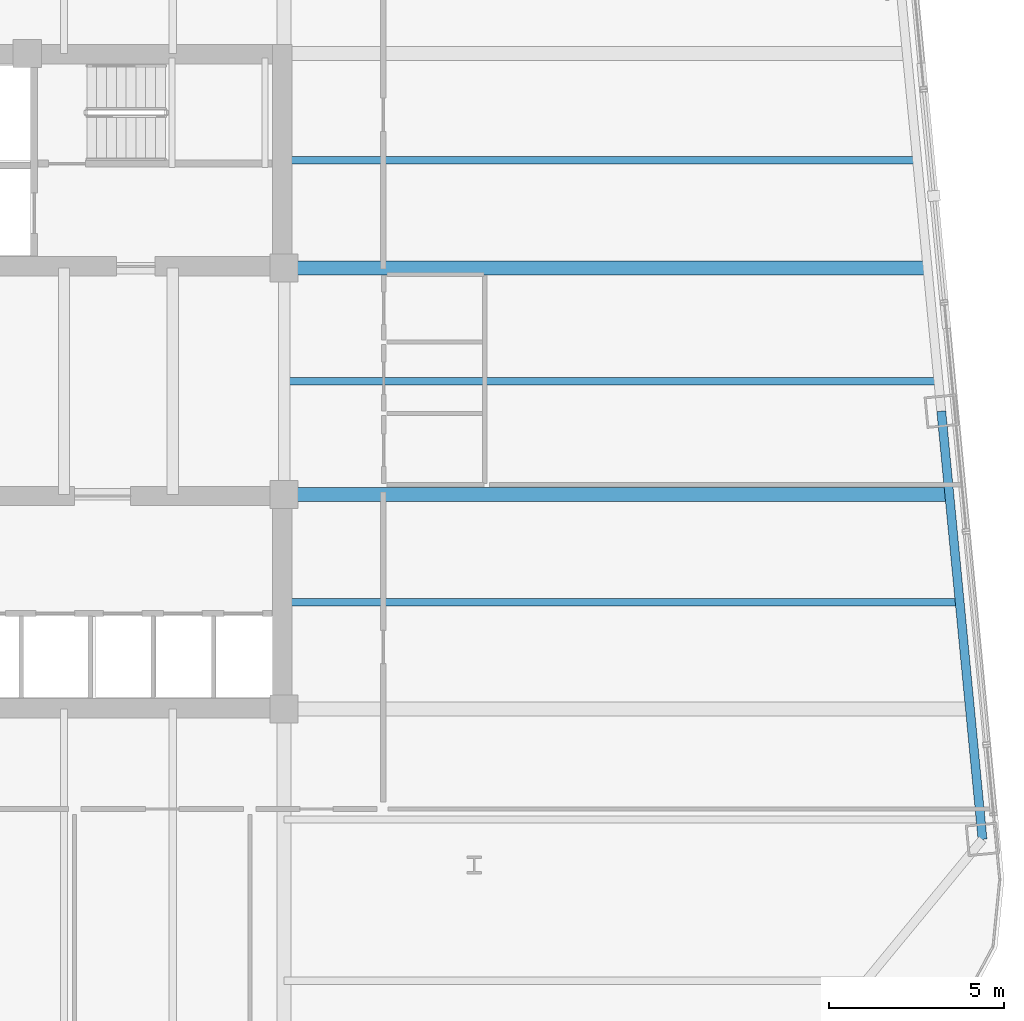
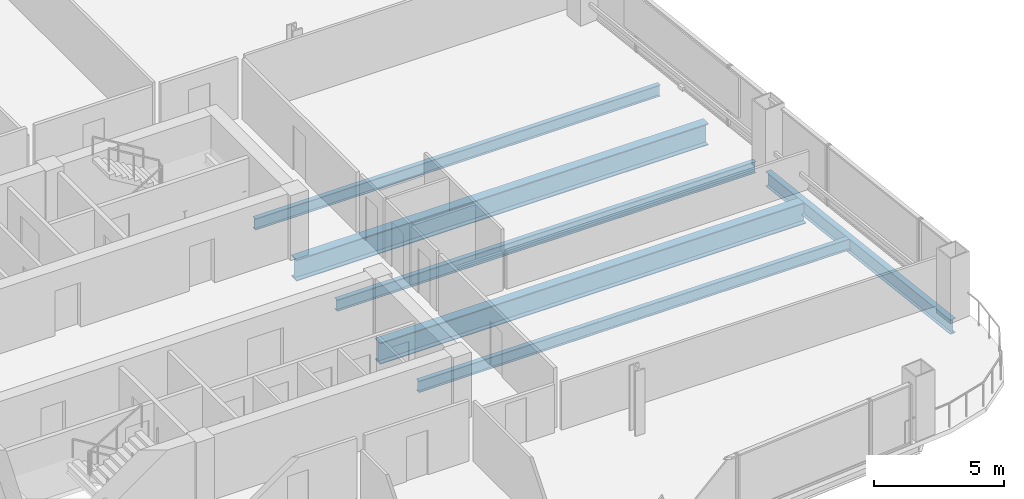
# One storey, part 16 of 34: 6 beams.
"""IFC4 building model written with IfcOpenShell, lengths in metres."""

from ifc_helpers import new_model, si_unit, direction, frame, origin, origin_2d, place, context, subcontext, project, spatial, i_section, extrude, material, material_profile, profile_set, type_object, element, save


model = new_model("IFC4")

# Units and contexts
model_context = context("Model", 3, precision=1e-05, world=origin(), true_north=direction((0.0, 1.0)))
body_context = subcontext(model_context, "Body", "Model", "MODEL_VIEW")
ifc_project = project(units=[si_unit("LENGTHUNIT", "METRE"), si_unit("AREAUNIT", "SQUARE_METRE"), si_unit("VOLUMEUNIT", "CUBIC_METRE"), si_unit("PLANEANGLEUNIT", "RADIAN"), si_unit("MASSUNIT", "GRAM", prefix="KILO")], contexts=[model_context])

# Site, building, storey
site_placement = place(None, origin())
site = spatial("IfcSite", under=ifc_project, at=site_placement, CompositionType="ELEMENT")
building_placement = place(site_placement, origin())
building = spatial("IfcBuilding", under=site, at=building_placement, Name="Qhalaya Broadcast Tower", CompositionType="ELEMENT")
storey_placement = place(building_placement, frame((0.0, 0.0, 78.60009765625)))
storey = spatial("IfcBuildingStorey", under=building, at=storey_placement, Name="L22", CompositionType="ELEMENT", Elevation=78.60009765625)

# Beams
ifc_material = material(Name="Structural Steel ASTM A992 Grade 50", Category="steel")
ifc_material_profile_1 = material_profile(ifc_material, i_section(OverallWidth=0.2099609375, OverallDepth=0.535888671875, WebThickness=0.010986328125, FlangeThickness=0.017333984375, at=origin_2d()), Name="W21X68")
ifc_profile_set_1 = profile_set([ifc_material_profile_1], Name="Structural Steel ASTM A992 Grade 50")
beam_type_1 = type_object("IfcBeamType", Name="Composite Floor Joist J02", PredefinedType="JOIST", material=ifc_profile_set_1)
beam_1_placement = place(storey_placement, frame((9.375, -5.699951171875, -0.488037109375), z_axis=(1.0, 0.0, 0.0), x_axis=(0.0, 1.0, 0.0)))
element("IfcBeam", 1, at=beam_1_placement, inside=storey, type_object=beam_type_1, Name="L22 J02 L22-JWE3E-1", PredefinedType="JOIST", context=body_context, shape_type="SweptSolid", body=[
    extrude(i_section(OverallWidth=0.2099609375, OverallDepth=0.535888671875, WebThickness=0.010986328125, FlangeThickness=0.017333984375, at=origin_2d()), origin(), (0.0, 0.0, 1.0), 19.24609375),
])
beam_2_placement = place(storey_placement, frame((9.375, 0.60009765625, -0.488037109375), z_axis=(1.0, 0.0, 0.0), x_axis=(0.0, 1.0, 0.0)))
element("IfcBeam", 2, at=beam_2_placement, inside=storey, type_object=beam_type_1, Name="L22 J02 L22-JWE4E-1", PredefinedType="JOIST", context=body_context, shape_type="SweptSolid", body=[
    extrude(i_section(OverallWidth=0.2099609375, OverallDepth=0.535888671875, WebThickness=0.010986328125, FlangeThickness=0.017333984375, at=origin_2d()), origin(), (0.0, 0.0, 1.0), 18.639404296875),
])
beam_3_placement = place(storey_placement, frame((9.375, 6.89990234375, -0.488037109375), z_axis=(1.0, 0.0, 0.0), x_axis=(0.0, 1.0, 0.0)))
element("IfcBeam", 3, at=beam_3_placement, inside=storey, type_object=beam_type_1, Name="L22 J02 L22-JWE5E-1", PredefinedType="JOIST", context=body_context, shape_type="SweptSolid", body=[
    extrude(i_section(OverallWidth=0.2099609375, OverallDepth=0.535888671875, WebThickness=0.010986328125, FlangeThickness=0.017333984375, at=origin_2d()), origin(), (0.0, 0.0, 1.0), 18.03271484375),
])
ifc_material_profile_2 = material_profile(ifc_material, i_section(OverallWidth=0.40087890625, OverallDepth=1.010986328125, WebThickness=0.023681640625, FlangeThickness=0.0419921875, at=origin_2d()), Name="W40X297")
ifc_profile_set_2 = profile_set([ifc_material_profile_2], Name="Structural Steel ASTM A992 Grade 50")
beam_type_2 = type_object("IfcBeamType", Name="Lower Block Primary Girder PG2", PredefinedType="USERDEFINED", material=ifc_profile_set_2)
beam_4_placement = place(storey_placement, frame((9.375, -2.625, -0.7255859375), z_axis=(1.0, 0.0, 0.0), x_axis=(0.0, 1.0, 0.0)))
element("IfcBeam", 4, at=beam_4_placement, inside=storey, type_object=beam_type_2, Name="L22 PG2 L22-PGYE2-1", ObjectType="GIRDER", PredefinedType="USERDEFINED", context=body_context, shape_type="SweptSolid", body=[
    extrude(i_section(OverallWidth=0.40087890625, OverallDepth=1.010986328125, WebThickness=0.023681640625, FlangeThickness=0.0419921875, at=origin_2d()), origin(), (0.0, 0.0, 1.0), 18.949951171875),
])
beam_5_placement = place(storey_placement, frame((9.375, 3.824951171875, -0.7255859375), z_axis=(1.0, 0.0, 0.0), x_axis=(0.0, 1.0, 0.0)))
element("IfcBeam", 5, at=beam_5_placement, inside=storey, type_object=beam_type_2, Name="L22 PG2 L22-PGYE3-1", ObjectType="GIRDER", PredefinedType="USERDEFINED", context=body_context, shape_type="SweptSolid", body=[
    extrude(i_section(OverallWidth=0.40087890625, OverallDepth=1.010986328125, WebThickness=0.023681640625, FlangeThickness=0.0419921875, at=origin_2d()), origin(), (0.0, 0.0, 1.0), 18.328857421875),
])
ifc_material_profile_3 = material_profile(ifc_material, i_section(OverallWidth=0.25390625, OverallDepth=0.68310546875, WebThickness=0.012451171875, FlangeThickness=0.01904296875, at=origin_2d()), Name="W27X94")
ifc_profile_set_3 = profile_set([ifc_material_profile_3], Name="Structural Steel ASTM A992 Grade 50")
beam_type_3 = type_object("IfcBeamType", Name="Perimeter Ring Spandrel Beam SP1", PredefinedType="SPANDREL", material=ifc_profile_set_3)
beam_6_placement = place(storey_placement, frame((29.29248046875, -12.46533203125, -0.5615234375), z_axis=(-0.095831866369, 0.995397535354, 0.0), x_axis=(-0.995397535354, -0.095831866369, 0.0)))
element("IfcBeam", 6, at=beam_6_placement, inside=storey, type_object=beam_type_3, Name="L22 SP1 L22-SPR-05", PredefinedType="SPANDREL", context=body_context, shape_type="SweptSolid", body=[
    extrude(i_section(OverallWidth=0.25390625, OverallDepth=0.68310546875, WebThickness=0.012451171875, FlangeThickness=0.01904296875, at=origin_2d()), origin(), (0.0, 0.0, 1.0), 12.2666015625),
])

save(model, "model.ifc")
